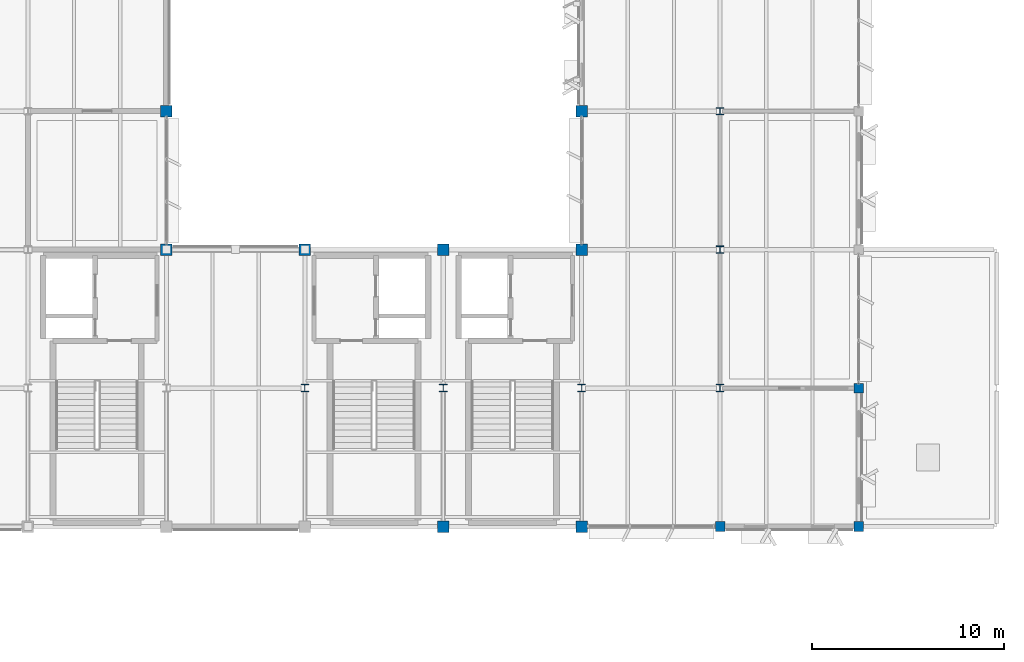
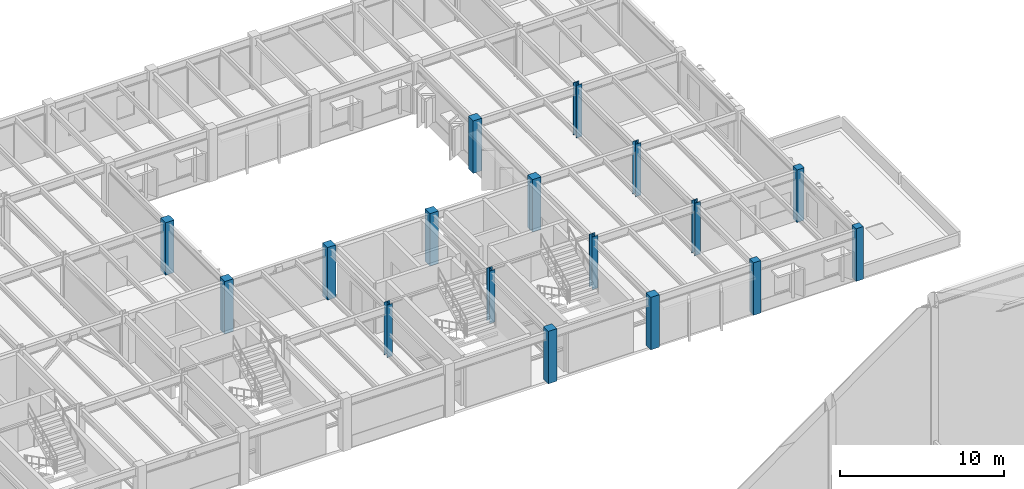
# One storey, part 10 of 82: 17 columns.
"""IFC4 building model written with IfcOpenShell, lengths in metres."""

from ifc_helpers import new_model, si_unit, direction, frame, origin, origin_2d, place, context, subcontext, project, spatial, rectangle, i_section, extrude, material, material_profile, profile_set, type_object, element, save


model = new_model("IFC4")

# Units and contexts
model_context = context("Model", 3, precision=1e-05, world=origin(), true_north=direction((0.0, 1.0)))
body_context = subcontext(model_context, "Body", "Model", "MODEL_VIEW")
ifc_project = project(units=[si_unit("LENGTHUNIT", "METRE"), si_unit("AREAUNIT", "SQUARE_METRE"), si_unit("VOLUMEUNIT", "CUBIC_METRE"), si_unit("PLANEANGLEUNIT", "RADIAN"), si_unit("MASSUNIT", "GRAM", prefix="KILO")], contexts=[model_context])

# Site, building, storey
site_placement = place(None, origin())
site = spatial("IfcSite", under=ifc_project, at=site_placement, CompositionType="ELEMENT")
building_placement = place(site_placement, origin())
building = spatial("IfcBuilding", under=site, at=building_placement, Name="Sillqori Civic Hall", CompositionType="ELEMENT")
storey_placement = place(building_placement, frame((0.0, 0.0, 14.10009765625)))
storey = spatial("IfcBuildingStorey", under=building, at=storey_placement, Name="L04", CompositionType="ELEMENT", Elevation=14.10009765625)

# Columns
ifc_material_1 = material(Name="Concrete C35/45 (H35)", Category="concrete")
ifc_material_profile_1 = material_profile(ifc_material_1, rectangle(XDim=0.5, YDim=0.5, at=origin_2d()), Name="RC 500x500")
ifc_profile_set_1 = profile_set([ifc_material_profile_1], Name="Concrete C35/45 (H35)")
column_type_1 = type_object("IfcColumnType", Name="COL-RC500", PredefinedType="COLUMN", material=ifc_profile_set_1)
for number, where, z_axis, x_axis, name in (
    (1, (100.800048828125, 79.199951171875, 0.0), (0.0, 0.0, 1.0), (1.0, 0.0, 0.0), "L04 column 14-11"),
    (2, (108.0, 79.199951171875, 0.0), (0.0, 0.0, 1.0), (1.0, 0.0, 0.0), "L04 column 15-11"),
    (3, (108.0, 86.39990234375, 0.0), (0.0, 0.0, 1.0), (1.0, 0.0, 0.0), "L04 column 15-12"),
):
    element("IfcColumn", number, at=place(storey_placement, frame(where, z_axis=z_axis, x_axis=x_axis)), inside=storey, type_object=column_type_1, Name=name, PredefinedType="COLUMN", context=body_context, shape_type="SweptSolid", body=[
        extrude(rectangle(XDim=0.5, YDim=0.5, at=origin_2d()), origin(), (0.0, 0.0, 1.0), 3.89990234375),
    ])
ifc_material_profile_2 = material_profile(ifc_material_1, rectangle(XDim=0.60009765625, YDim=0.60009765625, at=origin_2d()), Name="RC 600x600")
ifc_profile_set_2 = profile_set([ifc_material_profile_2], Name="Concrete C35/45 (H35)")
column_type_2 = type_object("IfcColumnType", Name="COL-RC600", PredefinedType="COLUMN", material=ifc_profile_set_2)
for number, where, z_axis, x_axis, name in (
    (4, (72.0, 93.60009765625, 0.0), (0.0, 0.0, 1.0), (1.0, 0.0, 0.0), "L04 column 10-13"),
    (5, (72.0, 100.800048828125, 0.0), (0.0, 0.0, 1.0), (1.0, 0.0, 0.0), "L04 column 10-14"),
    (6, (79.199951171875, 93.60009765625, 0.0), (0.0, 0.0, 1.0), (1.0, 0.0, 0.0), "L04 column 11-13"),
    (7, (86.39990234375, 79.199951171875, 0.0), (0.0, 0.0, 1.0), (1.0, 0.0, 0.0), "L04 column 12-11"),
    (8, (86.39990234375, 93.60009765625, 0.0), (0.0, 0.0, 1.0), (1.0, 0.0, 0.0), "L04 column 12-13"),
    (9, (93.60009765625, 79.199951171875, 0.0), (0.0, 0.0, 1.0), (1.0, 0.0, 0.0), "L04 column 13-11"),
    (10, (93.60009765625, 93.60009765625, 0.0), (0.0, 0.0, 1.0), (1.0, 0.0, 0.0), "L04 column 13-13"),
    (11, (93.60009765625, 100.800048828125, 0.0), (0.0, 0.0, 1.0), (1.0, 0.0, 0.0), "L04 column 13-14"),
):
    element("IfcColumn", number, at=place(storey_placement, frame(where, z_axis=z_axis, x_axis=x_axis)), inside=storey, type_object=column_type_2, Name=name, PredefinedType="COLUMN", context=body_context, shape_type="SweptSolid", body=[
        extrude(rectangle(XDim=0.60009765625, YDim=0.60009765625, at=origin_2d()), origin(), (0.0, 0.0, 1.0), 3.89990234375),
    ])
ifc_material_2 = material(Name="Steel ASTM A992", Category="steel")
ifc_material_profile_3 = material_profile(ifc_material_2, i_section(OverallWidth=0.39404296875, OverallDepth=0.3759765625, WebThickness=0.017333984375, FlangeThickness=0.027587890625, FilletRadius=0.014892578125, at=origin_2d()), Name="W14X145")
ifc_profile_set_3 = profile_set([ifc_material_profile_3], Name="Steel ASTM A992")
column_type_3 = type_object("IfcColumnType", Name="COL-W14X145", PredefinedType="COLUMN", material=ifc_profile_set_3)
for number, where, z_axis, x_axis, name in (
    (12, (79.199951171875, 86.39990234375, 0.0), (0.0, 0.0, 1.0), (1.0, 0.0, 0.0), "L04 column 11-12"),
    (13, (86.39990234375, 86.39990234375, 0.0), (0.0, 0.0, 1.0), (1.0, 0.0, 0.0), "L04 column 12-12"),
    (14, (93.60009765625, 86.39990234375, 0.0), (0.0, 0.0, 1.0), (1.0, 0.0, 0.0), "L04 column 13-12"),
    (15, (100.800048828125, 86.39990234375, 0.0), (0.0, 0.0, 1.0), (1.0, 0.0, 0.0), "L04 column 14-12"),
    (16, (100.800048828125, 93.60009765625, 0.0), (0.0, 0.0, 1.0), (1.0, 0.0, 0.0), "L04 column 14-13"),
    (17, (100.800048828125, 100.800048828125, 0.0), (0.0, 0.0, 1.0), (1.0, 0.0, 0.0), "L04 column 14-14"),
):
    element("IfcColumn", number, at=place(storey_placement, frame(where, z_axis=z_axis, x_axis=x_axis)), inside=storey, type_object=column_type_3, Name=name, PredefinedType="COLUMN", context=body_context, shape_type="SweptSolid", body=[
        extrude(i_section(OverallWidth=0.39404296875, OverallDepth=0.3759765625, WebThickness=0.017333984375, FlangeThickness=0.027587890625, FilletRadius=0.014892578125, at=origin_2d()), origin(), (0.0, 0.0, 1.0), 3.89990234375),
    ])

save(model, "model.ifc")
